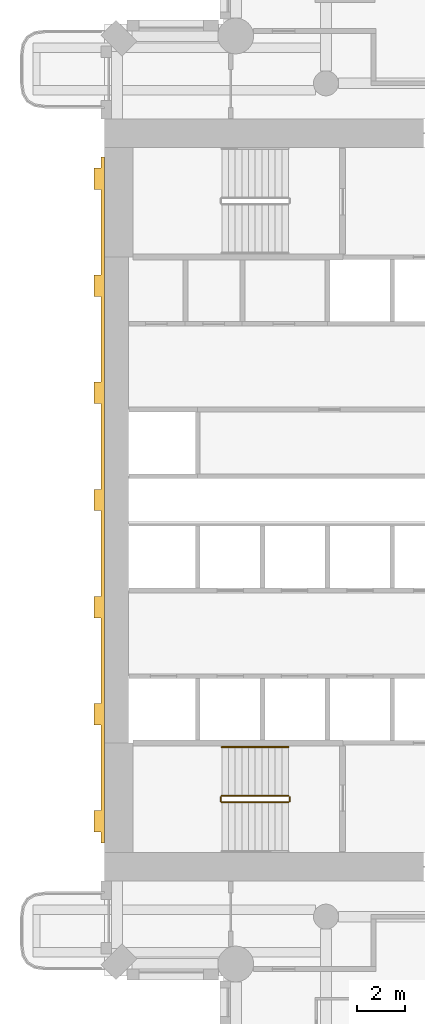
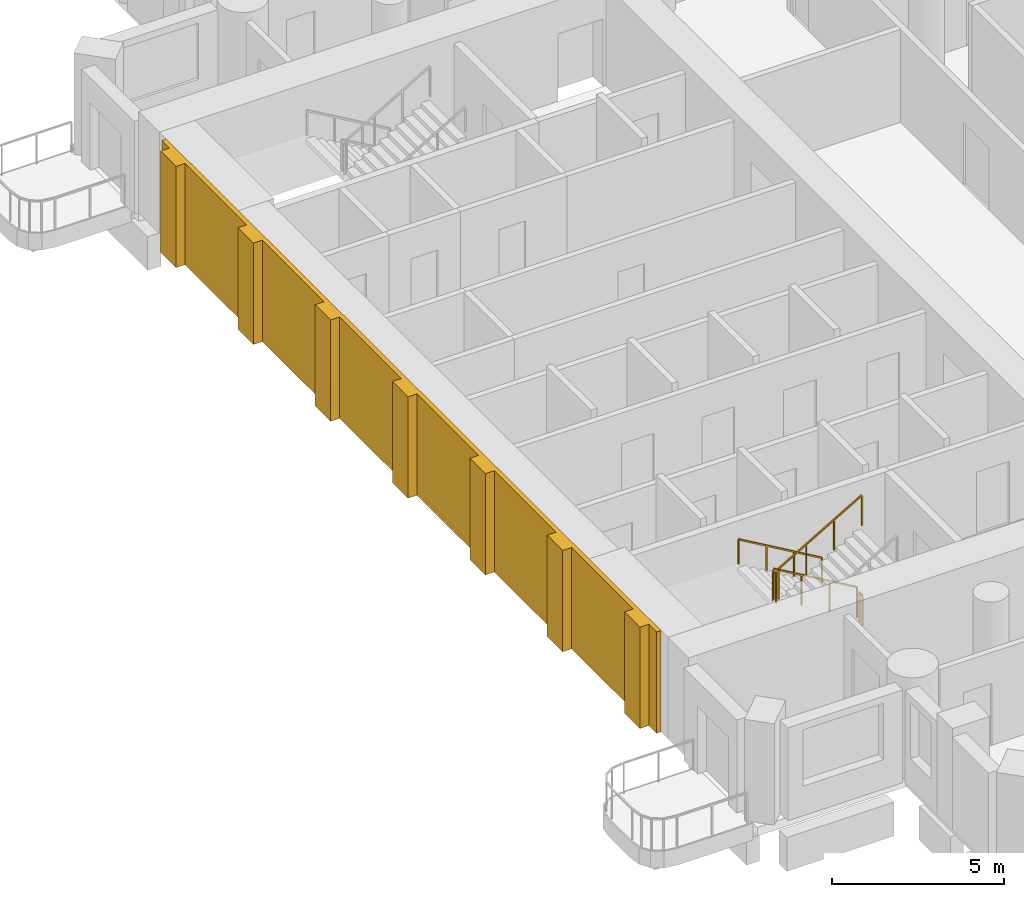
# One storey, part 14 of 20: 5 railings, 1 covering.
"""IFC4 building model written with IfcOpenShell, lengths in metres."""

from ifc_helpers import new_model, si_unit, direction, frame, origin, origin_2d, place, context, subcontext, project, spatial, polyline, rectangle, outline, extrude, material, layer, layer_set, type_object, element, save


model = new_model("IFC4")

# Units and contexts
model_context = context("Model", 3, precision=1e-05, world=origin(), true_north=direction((0.0, 1.0)))
body_context = subcontext(model_context, "Body", "Model", "MODEL_VIEW")
ifc_project = project(units=[si_unit("LENGTHUNIT", "METRE"), si_unit("AREAUNIT", "SQUARE_METRE"), si_unit("VOLUMEUNIT", "CUBIC_METRE"), si_unit("PLANEANGLEUNIT", "RADIAN"), si_unit("MASSUNIT", "GRAM", prefix="KILO")], contexts=[model_context])

# Site, building, storey
site_placement = place(None, origin())
site = spatial("IfcSite", under=ifc_project, at=site_placement, CompositionType="ELEMENT")
building_placement = place(site_placement, origin())
building = spatial("IfcBuilding", under=site, at=building_placement, Name="Cypress Arch Tower", CompositionType="ELEMENT")
storey_placement = place(building_placement, frame((0.0, 0.0, 116.699951171875)))
storey = spatial("IfcBuildingStorey", under=building, at=storey_placement, Name="L24", CompositionType="ELEMENT", Elevation=116.699951171875)

# Railings
ifc_material_1 = material(Name="Black powder-coated steel square bar 48 mm", Category="steel")
railing_type_1 = type_object("IfcRailingType", Name="Stair handrail HR1", PredefinedType="HANDRAIL", material=ifc_material_1)
railing_1_placement = place(storey_placement, frame((-22.27490234375, -10.375, 0.16357421875)))
element("IfcRailing", 1, at=railing_1_placement, inside=storey, type_object=railing_type_1, Name="L24 A stair handrail 1", PredefinedType="HANDRAIL", context=body_context, shape_type="SweptSolid", body=[
    extrude(rectangle(XDim=0.048095703125, YDim=0.048095703125, at=origin_2d()), frame((0.0, 0.0, 0.8759765625), z_axis=(-0.863360870873, 0.0, 0.504586966384), x_axis=(0.0, -1.0, 0.0)), (0.0, 0.0, 1.0), 3.2431640625),
    extrude(rectangle(XDim=0.0419921875, YDim=0.0419921875, at=origin_2d()), origin(), (0.0, 0.0, 1.0), 0.851806640625),
    extrude(rectangle(XDim=0.0419921875, YDim=0.0419921875, at=origin_2d()), frame((-0.933349609375, 0.0, 0.54541015625)), (0.0, 0.0, 1.0), 0.851806640625),
    extrude(rectangle(XDim=0.0419921875, YDim=0.0419921875, at=origin_2d()), frame((-1.86669921875, 0.0, 1.091064453125)), (0.0, 0.0, 1.0), 0.851806640625),
    extrude(rectangle(XDim=0.0419921875, YDim=0.0419921875, at=origin_2d()), frame((-2.800048828125, 0.0, 1.636474609375)), (0.0, 0.0, 1.0), 0.851806640625),
])
ifc_material_2 = material(Name="Black powder-coated steel balusters", Category="steel")
railing_type_2 = type_object("IfcRailingType", Name="Stair well guard G1", PredefinedType="GUARDRAIL", material=ifc_material_2)
railing_2_placement = place(storey_placement, frame((-22.27490234375, -12.425048828125, 0.16357421875)))
element("IfcRailing", 2, at=railing_2_placement, inside=storey, type_object=railing_type_2, Name="L24 A stair guard 1", PredefinedType="GUARDRAIL", context=body_context, shape_type="SweptSolid", body=[
    extrude(rectangle(XDim=0.048095703125, YDim=0.048095703125, at=origin_2d()), frame((0.0, 0.0, 1.076171875), z_axis=(-0.863360870873, 0.0, 0.504586966384), x_axis=(0.0, -1.0, 0.0)), (0.0, 0.0, 1.0), 3.2431640625),
    extrude(rectangle(XDim=0.0419921875, YDim=0.0419921875, at=origin_2d()), origin(), (0.0, 0.0, 1.0), 1.052001953125),
    extrude(rectangle(XDim=0.0419921875, YDim=0.0419921875, at=origin_2d()), frame((-0.933349609375, 0.0, 0.54541015625)), (0.0, 0.0, 1.0), 1.052001953125),
    extrude(rectangle(XDim=0.0419921875, YDim=0.0419921875, at=origin_2d()), frame((-1.86669921875, 0.0, 1.091064453125)), (0.0, 0.0, 1.0), 1.052001953125),
    extrude(rectangle(XDim=0.0419921875, YDim=0.0419921875, at=origin_2d()), frame((-2.800048828125, 0.0, 1.636474609375)), (0.0, 0.0, 1.0), 1.052001953125),
])
railing_3_placement = place(storey_placement, frame((-25.125, -12.47509765625, 1.800048828125)))
element("IfcRailing", 3, at=railing_3_placement, inside=storey, type_object=railing_type_2, Name="L24 A stair guard 2", PredefinedType="GUARDRAIL", context=body_context, shape_type="SweptSolid", body=[
    extrude(rectangle(XDim=0.048095703125, YDim=0.048095703125, at=origin_2d()), frame((0.0, 0.0, 1.076171875), z_axis=(0.0, -1.0, 0.0), x_axis=(1.0, 0.0, 0.0)), (0.0, 0.0, 1.0), 0.1748046875),
    extrude(rectangle(XDim=0.0419921875, YDim=0.0419921875, at=origin_2d()), origin(), (0.0, 0.0, 1.0), 1.052001953125),
    extrude(rectangle(XDim=0.0419921875, YDim=0.0419921875, at=origin_2d()), frame((0.0, -0.1748046875, 0.0)), (0.0, 0.0, 1.0), 1.052001953125),
])
railing_4_placement = place(storey_placement, frame((-25.074951171875, -12.699951171875, 1.963623046875)))
element("IfcRailing", 4, at=railing_4_placement, inside=storey, type_object=railing_type_2, Name="L24 A stair guard 3", PredefinedType="GUARDRAIL", context=body_context, shape_type="SweptSolid", body=[
    extrude(rectangle(XDim=0.048095703125, YDim=0.048095703125, at=origin_2d()), frame((0.0, 0.0, 1.076171875), z_axis=(0.863360870873, 0.0, 0.504586966384), x_axis=(0.0, 1.0, 0.0)), (0.0, 0.0, 1.0), 3.2431640625),
    extrude(rectangle(XDim=0.0419921875, YDim=0.0419921875, at=origin_2d()), origin(), (0.0, 0.0, 1.0), 1.052001953125),
    extrude(rectangle(XDim=0.0419921875, YDim=0.0419921875, at=origin_2d()), frame((0.933349609375, 0.0, 0.54541015625)), (0.0, 0.0, 1.0), 1.052001953125),
    extrude(rectangle(XDim=0.0419921875, YDim=0.0419921875, at=origin_2d()), frame((1.86669921875, 0.0, 1.091064453125)), (0.0, 0.0, 1.0), 1.052001953125),
    extrude(rectangle(XDim=0.0419921875, YDim=0.0419921875, at=origin_2d()), frame((2.800048828125, 0.0, 1.636474609375)), (0.0, 0.0, 1.0), 1.052001953125),
])
railing_5_placement = place(storey_placement, frame((-22.22509765625, -12.47509765625, 0.0)))
element("IfcRailing", 5, at=railing_5_placement, inside=storey, type_object=railing_type_2, Name="L24 A stair guard 4", PredefinedType="GUARDRAIL", context=body_context, shape_type="SweptSolid", body=[
    extrude(rectangle(XDim=0.048095703125, YDim=0.048095703125, at=origin_2d()), frame((0.0, 0.0, 1.076171875), z_axis=(0.0, -1.0, 0.0), x_axis=(1.0, 0.0, 0.0)), (0.0, 0.0, 1.0), 0.1748046875),
    extrude(rectangle(XDim=0.0419921875, YDim=0.0419921875, at=origin_2d()), origin(), (0.0, 0.0, 1.0), 1.052001953125),
    extrude(rectangle(XDim=0.0419921875, YDim=0.0419921875, at=origin_2d()), frame((0.0, -0.1748046875, 0.0)), (0.0, 0.0, 1.0), 1.052001953125),
])

# Covering
ifc_material_3 = material(Name="Brick (red buff blend)", Category="masonry")
ifc_layer = layer(ifc_material_3, 0.449951171875)
ifc_layer_set = layer_set([ifc_layer], Name="West face brick piers WP450")
covering_type = type_object("IfcCoveringType", Name="West face brick piers WP450", PredefinedType="CLADDING", material=ifc_layer_set)
covering_placement = place(storey_placement, origin())
element("IfcCovering", 6, at=covering_placement, inside=storey, type_object=covering_type, Name="West face brick piers L24", PredefinedType="CLADDING", context=body_context, shape_type="SweptSolid", body=[
    extrude(outline(polyline([(-30.14990234375, -13.050048828125), (-30.14990234375, -9.449951171875), (-30.449951171875, -9.449951171875), (-30.449951171875, -8.550048828125), (-30.14990234375, -8.550048828125), (-30.14990234375, -4.949951171875), (-30.449951171875, -4.949951171875), (-30.449951171875, -4.050048828125), (-30.14990234375, -4.050048828125), (-30.14990234375, -0.449951171875), (-30.449951171875, -0.449951171875), (-30.449951171875, 0.449951171875), (-30.14990234375, 0.449951171875), (-30.14990234375, 4.050048828125), (-30.449951171875, 4.050048828125), (-30.449951171875, 4.949951171875), (-30.14990234375, 4.949951171875), (-30.14990234375, 8.550048828125), (-30.449951171875, 8.550048828125), (-30.449951171875, 9.449951171875), (-30.14990234375, 9.449951171875), (-30.14990234375, 13.050048828125), (-30.449951171875, 13.050048828125), (-30.449951171875, 13.949951171875), (-30.14990234375, 13.949951171875), (-30.14990234375, 14.39990234375), (-30.0, 14.39990234375), (-30.0, -14.39990234375), (-30.14990234375, -14.39990234375), (-30.14990234375, -13.949951171875), (-30.449951171875, -13.949951171875), (-30.449951171875, -13.050048828125), (-30.14990234375, -13.050048828125)])), origin(), (0.0, 0.0, 1.0), 3.60009765625),
])

save(model, "model.ifc")
